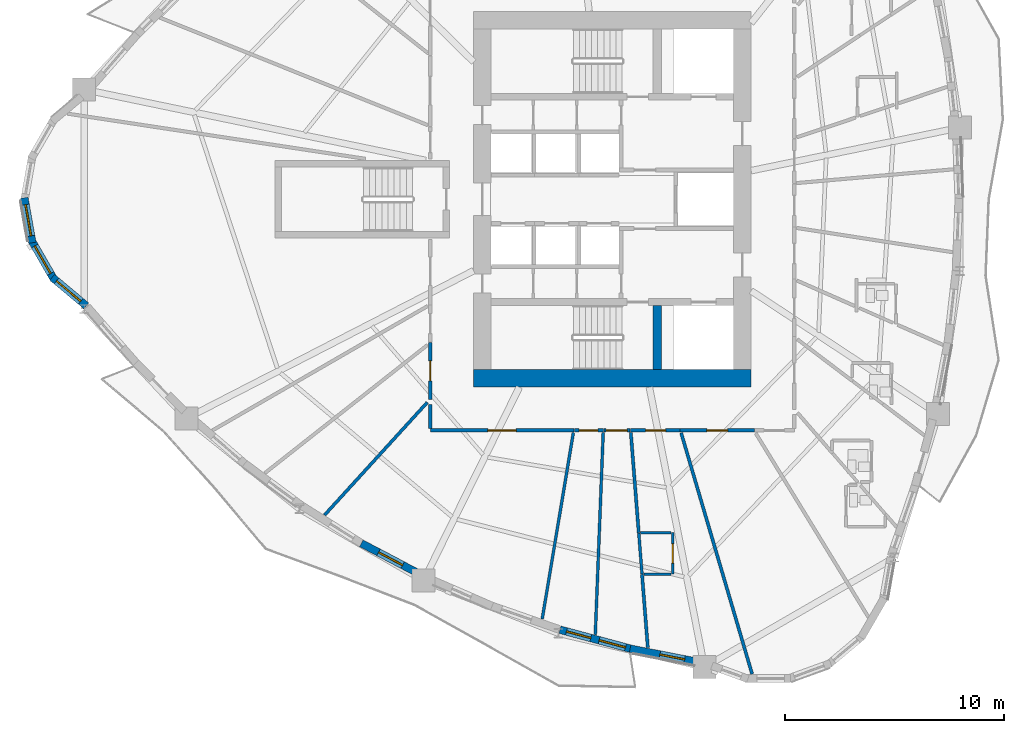
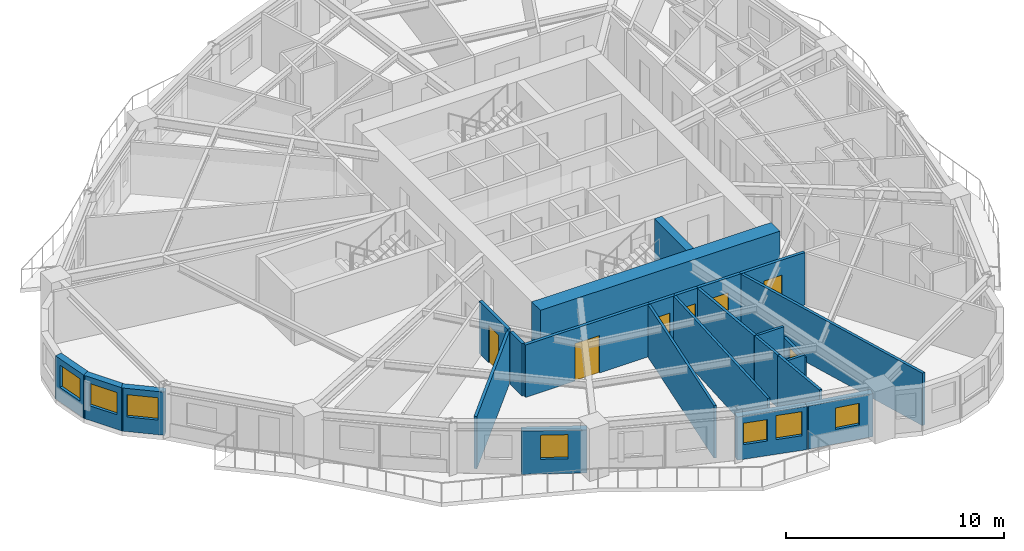
# One storey, part 3 of 13: 25 walls, 7 doors, 7 windows, 14 openings.
"""IFC4 building model written with IfcOpenShell, lengths in metres."""

from ifc_helpers import new_model, si_unit, direction, frame, frame_2d, origin, place, context, subcontext, project, spatial, rectangle, extrude, source, transform, mapped, material, layer, layer_set, type_object, element, fill, save


model = new_model("IFC4")

# Units and contexts
model_context = context("Model", 3, precision=1e-05, world=origin(), true_north=direction((0.0, 1.0)))
body_context = subcontext(model_context, "Body", "Model", "MODEL_VIEW")
ifc_project = project(units=[si_unit("LENGTHUNIT", "METRE"), si_unit("AREAUNIT", "SQUARE_METRE"), si_unit("VOLUMEUNIT", "CUBIC_METRE"), si_unit("PLANEANGLEUNIT", "RADIAN"), si_unit("MASSUNIT", "GRAM", prefix="KILO")], contexts=[model_context])

# Site, building, storey
site_placement = place(None, origin())
site = spatial("IfcSite", under=ifc_project, at=site_placement, CompositionType="ELEMENT")
building_placement = place(site_placement, origin())
building = spatial("IfcBuilding", under=site, at=building_placement, Name="Qafzar Sky-Pleat Residences", CompositionType="ELEMENT")
storey_placement = place(building_placement, frame((0.0, 0.0, 59.0)))
storey = spatial("IfcBuildingStorey", under=building, at=storey_placement, Name="L17", CompositionType="ELEMENT", Elevation=59.0)

# Wall, opening, door
ifc_material_1 = material(Name="Acoustic gypsum plasterboard partition", Category="gypsum")
ifc_layer_1 = layer(ifc_material_1, 0.159912109375)
ifc_layer_set_1 = layer_set([ifc_layer_1], Name="Acoustic gypsum plasterboard partition")
wall_type_1 = type_object("IfcWallType", Name="PART-COR-160", PredefinedType="PARTITIONING", material=ifc_layer_set_1)
wall_1_placement = place(storey_placement, frame((28.595947265625, 15.419921875, 0.0), z_axis=(0.0, 0.0, 1.0), x_axis=(-1.0, 0.0, 0.0)))
wall_1 = element("IfcWall", 1, at=wall_1_placement, inside=storey, type_object=wall_type_1, Name="L17 Partition Wall PART-L17-PW-001", PredefinedType="PARTITIONING", context=body_context, shape_type="SweptSolid", body=[
    extrude(rectangle(XDim=6.575927734375, YDim=0.159912109375, at=frame_2d((3.2880859375, 0.0))), origin(), (0.0, 0.0, 1.0), 2.93994140625),
])
opening_1_placement = place(wall_1_placement, frame((2.6455078125, 0.0, 0.0)))
opening_1 = element("IfcOpeningElement", 2, at=opening_1_placement, cuts=wall_1, Name="Opening ID-05", PredefinedType="OPENING", context=body_context, shape_type="SweptSolid", body=[
    extrude(rectangle(XDim=1.300048828125, YDim=2.10009765625, at=frame_2d((0.64990234375, 1.050048828125))), frame((0.0, 0.08984375, 0.0), z_axis=(0.0, -1.0, 0.0), x_axis=(1.0, 0.0, 0.0)), (0.0, 0.0, 1.0), 0.179931640625),
])
ifc_material_2 = material(Name="Timber-faced fire door", Category="wood")
door_type_1 = type_object("IfcDoorType", Name="DR-LNG-1300", OperationType="DOUBLE_DOOR_SINGLE_SWING", PredefinedType="DOOR", material=ifc_material_2)
shared_shape_1 = source(origin(), body_context, "Body", "SweptSolid", [
    extrude(rectangle(XDim=1.300048828125, YDim=2.10009765625, at=frame_2d((0.64990234375, 1.050048828125))), frame((0.0, 0.02490234375, 0.0), z_axis=(0.0, -1.0, 0.0), x_axis=(1.0, 0.0, 0.0)), (0.0, 0.0, 1.0), 0.050048828125),
])
door_1_placement = place(opening_1_placement, origin())
door_1 = element("IfcDoor", 3, at=door_1_placement, inside=storey, type_object=door_type_1, Name="L17 Tutorial Huddle Room Door", OperationType="DOUBLE_DOOR_SINGLE_SWING", OverallHeight=2.10009765625, OverallWidth=1.300048828125, PredefinedType="DOOR", context=body_context, shape_type="MappedRepresentation", body=[
    mapped(shared_shape_1, transform((0.0, 0.0, 0.0), x_axis=(1.0, 0.0, 0.0), y_axis=(0.0, 1.0, 0.0), z_axis=(0.0, 0.0, 1.0), scale=1.0)),
])
fill(opening_1, door_1)

wall_2_placement = place(storey_placement, frame((36.84912109375, 15.419921875, 0.0), z_axis=(0.0, 0.0, 1.0), x_axis=(-1.0, 0.0, 0.0)))
wall_2 = element("IfcWall", 4, at=wall_2_placement, inside=storey, type_object=wall_type_1, Name="L17 Partition Wall PART-L17-PW-007", PredefinedType="PARTITIONING", context=body_context, shape_type="SweptSolid", body=[
    extrude(rectangle(XDim=3.401123046875, YDim=0.159912109375, at=frame_2d((1.70068359375, 0.0))), origin(), (0.0, 0.0, 1.0), 2.93994140625),
])
opening_2_placement = place(wall_2_placement, frame((1.220947265625, 0.0, 0.0)))
opening_2 = element("IfcOpeningElement", 5, at=opening_2_placement, cuts=wall_2, Name="Opening ID-06", PredefinedType="OPENING", context=body_context, shape_type="SweptSolid", body=[
    extrude(rectangle(XDim=0.9599609375, YDim=2.10009765625, at=frame_2d((0.47998046875, 1.050048828125))), frame((0.0, 0.08984375, 0.0), z_axis=(0.0, -1.0, 0.0), x_axis=(1.0, 0.0, 0.0)), (0.0, 0.0, 1.0), 0.179931640625),
])
door_type_2 = type_object("IfcDoorType", Name="DR-STD-960", OperationType="NOTDEFINED", PredefinedType="DOOR", material=ifc_material_2)
shared_shape_2 = source(origin(), body_context, "Body", "SweptSolid", [
    extrude(rectangle(XDim=0.9599609375, YDim=2.10009765625, at=frame_2d((0.47998046875, 1.050048828125))), frame((0.0, 0.02490234375, 0.0), z_axis=(0.0, -1.0, 0.0), x_axis=(1.0, 0.0, 0.0)), (0.0, 0.0, 1.0), 0.050048828125),
])
door_2_placement = place(opening_2_placement, origin())
door_2 = element("IfcDoor", 6, at=door_2_placement, inside=storey, type_object=door_type_2, Name="L17 Reading Library Door", OperationType="SINGLE_SWING_LEFT", OverallHeight=2.10009765625, OverallWidth=0.9599609375, PredefinedType="DOOR", context=body_context, shape_type="MappedRepresentation", body=[
    mapped(shared_shape_2, transform((0.0, 0.0, 0.0), x_axis=(1.0, 0.0, 0.0), y_axis=(0.0, 1.0, 0.0), z_axis=(0.0, 0.0, 1.0), scale=1.0)),
])
fill(opening_2, door_2)

wall_3_placement = place(storey_placement, frame((22.02001953125, 16.837890625, 0.0), z_axis=(0.0, 0.0, 1.0), x_axis=(0.0, 1.0, 0.0)))
wall_3 = element("IfcWall", 7, at=wall_3_placement, inside=storey, type_object=wall_type_1, Name="L17 Partition Wall PART-L17-PW-014", PredefinedType="PARTITIONING", context=body_context, shape_type="SweptSolid", body=[
    extrude(rectangle(XDim=2.6181640625, YDim=0.159912109375, at=frame_2d((1.30908203125, 0.0))), origin(), (0.0, 0.0, 1.0), 2.93994140625),
])
opening_3_placement = place(wall_3_placement, frame((0.85009765625, 0.0, 0.0)))
opening_3 = element("IfcOpeningElement", 8, at=opening_3_placement, cuts=wall_3, Name="Opening ID-04", PredefinedType="OPENING", context=body_context, shape_type="SweptSolid", body=[
    extrude(rectangle(XDim=0.919921875, YDim=2.10009765625, at=frame_2d((0.4599609375, 1.050048828125))), frame((0.0, 0.08984375, 0.0), z_axis=(0.0, -1.0, 0.0), x_axis=(1.0, 0.0, 0.0)), (0.0, 0.0, 1.0), 0.179931640625),
])
door_type_3 = type_object("IfcDoorType", Name="DR-BED-920", OperationType="NOTDEFINED", PredefinedType="DOOR", material=ifc_material_2)
shared_shape_3 = source(origin(), body_context, "Body", "SweptSolid", [
    extrude(rectangle(XDim=0.919921875, YDim=2.10009765625, at=frame_2d((0.4599609375, 1.050048828125))), frame((0.0, 0.02490234375, 0.0), z_axis=(0.0, -1.0, 0.0), x_axis=(1.0, 0.0, 0.0)), (0.0, 0.0, 1.0), 0.050048828125),
])
door_3_placement = place(opening_3_placement, origin())
door_3 = element("IfcDoor", 9, at=door_3_placement, inside=storey, type_object=door_type_3, Name="L17 Co-Living Bedroom 11 Door", OperationType="SINGLE_SWING_RIGHT", OverallHeight=2.10009765625, OverallWidth=0.919921875, PredefinedType="DOOR", context=body_context, shape_type="MappedRepresentation", body=[
    mapped(shared_shape_3, transform((0.0, 0.0, 0.0), x_axis=(1.0, 0.0, 0.0), y_axis=(0.0, 1.0, 0.0), z_axis=(0.0, 0.0, 1.0), scale=1.0)),
])
fill(opening_3, door_3)

wall_4_placement = place(storey_placement, frame((33.43310546875, 15.419921875, 0.0), z_axis=(0.0, 0.0, 1.0), x_axis=(-1.0, 0.0, 0.0)))
wall_4 = element("IfcWall", 10, at=wall_4_placement, inside=storey, type_object=wall_type_1, Name="L17 Partition Wall PART-L17-PW-016", PredefinedType="PARTITIONING", context=body_context, shape_type="SweptSolid", body=[
    extrude(rectangle(XDim=2.26220703125, YDim=0.159912109375, at=frame_2d((1.131103515625, 0.0))), origin(), (0.0, 0.0, 1.0), 2.93994140625),
])
opening_4_placement = place(wall_4_placement, frame((0.64794921875, 0.0, 0.0)))
opening_4 = element("IfcOpeningElement", 11, at=opening_4_placement, cuts=wall_4, Name="Opening ID-04", PredefinedType="OPENING", context=body_context, shape_type="SweptSolid", body=[
    extrude(rectangle(XDim=0.919921875, YDim=2.10009765625, at=frame_2d((0.4599609375, 1.050048828125))), frame((0.0, 0.08984375, 0.0), z_axis=(0.0, -1.0, 0.0), x_axis=(1.0, 0.0, 0.0)), (0.0, 0.0, 1.0), 0.179931640625),
])
door_4_placement = place(opening_4_placement, origin())
door_4 = element("IfcDoor", 12, at=door_4_placement, inside=storey, type_object=door_type_3, Name="L17 Co-Living Bedroom 12 Door", OperationType="SINGLE_SWING_RIGHT", OverallHeight=2.10009765625, OverallWidth=0.919921875, PredefinedType="DOOR", context=body_context, shape_type="MappedRepresentation", body=[
    mapped(shared_shape_3, transform((0.0, 0.0, 0.0), x_axis=(1.0, 0.0, 0.0), y_axis=(0.0, 1.0, 0.0), z_axis=(0.0, 0.0, 1.0), scale=1.0)),
])
fill(opening_4, door_4)

wall_5_placement = place(storey_placement, frame((29.948974609375, 15.419921875, 0.0), z_axis=(0.0, 0.0, 1.0), x_axis=(-1.0, 0.0, 0.0)))
wall_5 = element("IfcWall", 13, at=wall_5_placement, inside=storey, type_object=wall_type_1, Name="L17 Partition Wall PART-L17-PW-030", PredefinedType="PARTITIONING", context=body_context, shape_type="SweptSolid", body=[
    extrude(rectangle(XDim=1.337890625, YDim=0.159912109375, at=frame_2d((0.6689453125, 0.0))), origin(), (0.0, 0.0, 1.0), 2.93994140625),
])
opening_5_placement = place(wall_5_placement, frame((0.261474609375, 0.0, 0.0)))
opening_5 = element("IfcOpeningElement", 14, at=opening_5_placement, cuts=wall_5, Name="Opening ID-09", PredefinedType="OPENING", context=body_context, shape_type="SweptSolid", body=[
    extrude(rectangle(XDim=0.860107421875, YDim=2.050048828125, at=frame_2d((0.43017578125, 1.02490234375))), frame((0.0, 0.08984375, 0.0), z_axis=(0.0, -1.0, 0.0), x_axis=(1.0, 0.0, 0.0)), (0.0, 0.0, 1.0), 0.179931640625),
])
door_type_4 = type_object("IfcDoorType", Name="DR-SVC-860", OperationType="NOTDEFINED", PredefinedType="DOOR", material=ifc_material_2)
shared_shape_4 = source(origin(), body_context, "Body", "SweptSolid", [
    extrude(rectangle(XDim=0.860107421875, YDim=2.050048828125, at=frame_2d((0.43017578125, 1.02490234375))), frame((0.0, 0.02490234375, 0.0), z_axis=(0.0, -1.0, 0.0), x_axis=(1.0, 0.0, 0.0)), (0.0, 0.0, 1.0), 0.050048828125),
])
door_5_placement = place(opening_5_placement, origin())
door_5 = element("IfcDoor", 15, at=door_5_placement, inside=storey, type_object=door_type_4, Name="L17 Accessible Shared Washroom Door", OperationType="SINGLE_SWING_RIGHT", OverallHeight=2.050048828125, OverallWidth=0.860107421875, PredefinedType="DOOR", context=body_context, shape_type="MappedRepresentation", body=[
    mapped(shared_shape_4, transform((0.0, 0.0, 0.0), x_axis=(1.0, 0.0, 0.0), y_axis=(0.0, 1.0, 0.0), z_axis=(0.0, 0.0, 1.0), scale=1.0)),
])
fill(opening_5, door_5)

wall_6_placement = place(storey_placement, frame((31.156005859375, 15.419921875, 0.0), z_axis=(0.0, 0.0, 1.0), x_axis=(-1.0, 0.0, 0.0)))
wall_6 = element("IfcWall", 16, at=wall_6_placement, inside=storey, type_object=wall_type_1, Name="L17 Partition Wall PART-L17-PW-031", PredefinedType="PARTITIONING", context=body_context, shape_type="SweptSolid", body=[
    extrude(rectangle(XDim=1.19189453125, YDim=0.159912109375, at=frame_2d((0.595947265625, 0.0))), origin(), (0.0, 0.0, 1.0), 2.93994140625),
])
opening_6_placement = place(wall_6_placement, frame((0.127685546875, 0.0, 0.0)))
opening_6 = element("IfcOpeningElement", 17, at=opening_6_placement, cuts=wall_6, Name="Opening ID-06", PredefinedType="OPENING", context=body_context, shape_type="SweptSolid", body=[
    extrude(rectangle(XDim=0.9599609375, YDim=2.10009765625, at=frame_2d((0.47998046875, 1.050048828125))), frame((0.0, 0.08984375, 0.0), z_axis=(0.0, -1.0, 0.0), x_axis=(1.0, 0.0, 0.0)), (0.0, 0.0, 1.0), 0.179931640625),
])
door_6_placement = place(opening_6_placement, origin())
door_6 = element("IfcDoor", 18, at=door_6_placement, inside=storey, type_object=door_type_2, Name="L17 Scholar Study Room Door", OperationType="SINGLE_SWING_LEFT", OverallHeight=2.10009765625, OverallWidth=0.9599609375, PredefinedType="DOOR", context=body_context, shape_type="MappedRepresentation", body=[
    mapped(shared_shape_2, transform((0.0, 0.0, 0.0), x_axis=(1.0, 0.0, 0.0), y_axis=(0.0, 1.0, 0.0), z_axis=(0.0, 0.0, 1.0), scale=1.0)),
])
fill(opening_6, door_6)

# Walls
wall_7_placement = place(storey_placement, frame((22.02001953125, 15.508056640625, 0.0), z_axis=(0.0, 0.0, 1.0), x_axis=(0.0, 1.0, 0.0)))
element("IfcWall", 19, at=wall_7_placement, inside=storey, type_object=wall_type_1, Name="L17 Partition Wall PART-L17-PW-079", PredefinedType="PARTITIONING", context=body_context, shape_type="SweptSolid", body=[
    extrude(rectangle(XDim=1.111572265625, YDim=0.159912109375, at=frame_2d((0.5556640625, 0.0))), origin(), (0.0, 0.0, 1.0), 2.93994140625),
])
ifc_layer_2 = layer(ifc_material_1, 0.14501953125)
ifc_layer_set_2 = layer_set([ifc_layer_2], Name="Acoustic gypsum plasterboard partition")
wall_type_2 = type_object("IfcWallType", Name="PART-UNIT-145", PredefinedType="PARTITIONING", material=ifc_layer_set_2)
wall_8_placement = place(storey_placement, frame((33.495849609375, 15.31201171875, 0.0), z_axis=(0.0, 0.0, 1.0), x_axis=(0.282353610079, -0.959310397564, 0.0)))
element("IfcWall", 20, at=wall_8_placement, inside=storey, type_object=wall_type_2, Name="L17 Partition Wall PART-L17-PW-035", PredefinedType="PARTITIONING", context=body_context, shape_type="SweptSolid", body=[
    extrude(rectangle(XDim=11.50341796875, YDim=0.14501953125, at=frame_2d((5.751708984375, 0.0))), origin(), (0.0, 0.0, 1.0), 2.93994140625),
])
wall_9_placement = place(storey_placement, frame((17.179931640625, 11.550048828125, 0.0), z_axis=(0.0, 0.0, 1.0), x_axis=(0.673657773225, 0.739043438895, 0.0)))
element("IfcWall", 21, at=wall_9_placement, inside=storey, type_object=wall_type_2, Name="L17 Partition Wall PART-L17-PW-047", PredefinedType="PARTITIONING", context=body_context, shape_type="SweptSolid", body=[
    extrude(rectangle(XDim=6.978515625, YDim=0.14501953125, at=frame_2d((3.4892578125, 0.0))), origin(), (0.0, 0.0, 1.0), 2.93994140625),
])
wall_10_placement = place(storey_placement, frame((31.193359375, 15.326416015625, 0.0), z_axis=(0.0, 0.0, 1.0), x_axis=(0.078835771191, -0.996887617127, 0.0)))
element("IfcWall", 22, at=wall_10_placement, inside=storey, type_object=wall_type_2, Name="L17 Partition Wall PART-L17-PW-049", PredefinedType="PARTITIONING", context=body_context, shape_type="SweptSolid", body=[
    extrude(rectangle(XDim=4.598876953125, YDim=0.14501953125, at=frame_2d((2.29931640625, 0.0))), origin(), (0.0, 0.0, 1.0), 2.93994140625),
])
wall_11_placement = place(storey_placement, frame((31.7060546875, 8.842041015625, 0.0), z_axis=(0.0, 0.0, 1.0), x_axis=(0.078861571463, -0.996885576456, 0.0)))
element("IfcWall", 23, at=wall_11_placement, inside=storey, type_object=wall_type_2, Name="L17 Partition Wall PART-L17-PW-051", PredefinedType="PARTITIONING", context=body_context, shape_type="SweptSolid", body=[
    extrude(rectangle(XDim=3.371337890625, YDim=0.14501953125, at=frame_2d((1.685546875, 0.0))), origin(), (0.0, 0.0, 1.0), 2.93994140625),
])

# Wall, opening, door
ifc_material_3 = material(Name="Moisture-resistant gypsum partition", Category="gypsum")
ifc_layer_3 = layer(ifc_material_3, 0.1298828125)
ifc_layer_set_3 = layer_set([ifc_layer_3], Name="Moisture-resistant gypsum partition")
wall_type_3 = type_object("IfcWallType", Name="PART-WET-130", PredefinedType="PARTITIONING", material=ifc_layer_set_3)
wall_12_placement = place(storey_placement, frame((33.113037109375, 8.842041015625, 0.0), z_axis=(0.0, 0.0, 1.0), x_axis=(0.0, 1.0, 0.0)))
wall_12 = element("IfcWall", 24, at=wall_12_placement, inside=storey, type_object=wall_type_3, Name="L17 Partition Wall PART-L17-PW-021", PredefinedType="PARTITIONING", context=body_context, shape_type="SweptSolid", body=[
    extrude(rectangle(XDim=1.89990234375, YDim=0.1298828125, at=frame_2d((0.949951171875, 0.0))), origin(), (0.0, 0.0, 1.0), 2.30810546875),
])
opening_7_placement = place(wall_12_placement, frame((0.510009765625, 0.0, 0.0)))
opening_7 = element("IfcOpeningElement", 25, at=opening_7_placement, cuts=wall_12, Name="Opening ID-07", PredefinedType="OPENING", context=body_context, shape_type="SweptSolid", body=[
    extrude(rectangle(XDim=0.8798828125, YDim=2.050048828125, at=frame_2d((0.43994140625, 1.02490234375))), frame((0.0, 0.074951171875, 0.0), z_axis=(0.0, -1.0, 0.0), x_axis=(1.0, 0.0, 0.0)), (0.0, 0.0, 1.0), 0.14990234375),
])
door_type_5 = type_object("IfcDoorType", Name="DR-WET-880", OperationType="NOTDEFINED", PredefinedType="DOOR", material=ifc_material_2)
shared_shape_5 = source(origin(), body_context, "Body", "SweptSolid", [
    extrude(rectangle(XDim=0.8798828125, YDim=2.050048828125, at=frame_2d((0.43994140625, 1.02490234375))), frame((0.0, 0.02490234375, 0.0), z_axis=(0.0, -1.0, 0.0), x_axis=(1.0, 0.0, 0.0)), (0.0, 0.0, 1.0), 0.050048828125),
])
door_7_placement = place(opening_7_placement, origin())
door_7 = element("IfcDoor", 26, at=door_7_placement, inside=storey, type_object=door_type_5, Name="L17 En-suite Bathroom 12 Door", OperationType="SINGLE_SWING_LEFT", OverallHeight=2.050048828125, OverallWidth=0.8798828125, PredefinedType="DOOR", context=body_context, shape_type="MappedRepresentation", body=[
    mapped(shared_shape_5, transform((0.0, 0.0, 0.0), x_axis=(1.0, 0.0, 0.0), y_axis=(0.0, 1.0, 0.0), z_axis=(0.0, 0.0, 1.0), scale=1.0)),
])
fill(opening_7, door_7)

# Walls
wall_13_placement = place(storey_placement, frame((29.5673828125, 6.072021484375, 0.0), z_axis=(0.0, 0.0, 1.0), x_axis=(0.039185050788, 0.999231970963, 0.0)))
element("IfcWall", 27, at=wall_13_placement, inside=storey, type_object=wall_type_3, Name="L17 Partition Wall PART-L17-PW-041", PredefinedType="PARTITIONING", context=body_context, shape_type="SweptSolid", body=[
    extrude(rectangle(XDim=9.2646484375, YDim=0.1298828125, at=frame_2d((4.63232421875, 0.0))), origin(), (0.0, 0.0, 1.0), 2.93994140625),
])
wall_14_placement = place(storey_placement, frame((27.138916015625, 6.7919921875, 0.0), z_axis=(0.0, 0.0, 1.0), x_axis=(0.164847632872, 0.986319044699, 0.0)))
element("IfcWall", 28, at=wall_14_placement, inside=storey, type_object=wall_type_3, Name="L17 Partition Wall PART-L17-PW-042", PredefinedType="PARTITIONING", context=body_context, shape_type="SweptSolid", body=[
    extrude(rectangle(XDim=8.647705078125, YDim=0.1298828125, at=frame_2d((4.32373046875, 0.0))), origin(), (0.0, 0.0, 1.0), 2.93994140625),
])
wall_15_placement = place(storey_placement, frame((31.55712890625, 10.72705078125, 0.0), z_axis=(0.0, 0.0, 1.0), x_axis=(0.078736521399, -0.996895461018, 0.0)))
element("IfcWall", 29, at=wall_15_placement, inside=storey, type_object=wall_type_3, Name="L17 Partition Wall PART-L17-PW-062", PredefinedType="PARTITIONING", context=body_context, shape_type="SweptSolid", body=[
    extrude(rectangle(XDim=1.8759765625, YDim=0.1298828125, at=frame_2d((0.93798828125, 0.0))), origin(), (0.0, 0.0, 1.0), 2.93994140625),
])
wall_16_placement = place(storey_placement, frame((31.641845703125, 10.741943359375, 0.0), z_axis=(0.0, 0.0, 1.0), x_axis=(1.0, 0.0, 0.0)))
element("IfcWall", 30, at=wall_16_placement, inside=storey, type_object=wall_type_3, Name="L17 Partition Wall PART-L17-PW-077", PredefinedType="PARTITIONING", context=body_context, shape_type="SweptSolid", body=[
    extrude(rectangle(XDim=1.398193359375, YDim=0.1298828125, at=frame_2d((0.69921875, 0.0))), origin(), (0.0, 0.0, 1.0), 2.93994140625),
])
wall_17_placement = place(storey_placement, frame((31.7919921875, 8.842041015625, 0.0), z_axis=(0.0, 0.0, 1.0), x_axis=(1.0, 0.0, 0.0)))
element("IfcWall", 31, at=wall_17_placement, inside=storey, type_object=wall_type_3, Name="L17 Partition Wall PART-L17-PW-078", PredefinedType="PARTITIONING", context=body_context, shape_type="SweptSolid", body=[
    extrude(rectangle(XDim=1.248046875, YDim=0.1298828125, at=frame_2d((0.6240234375, 0.0))), origin(), (0.0, 0.0, 1.0), 2.508056640625),
])

# Wall, opening, window
ifc_material_4 = material(Name="Precast concrete C40/50 with honed Riyadh limestone", Category="concrete")
ifc_layer_4 = layer(ifc_material_4, 0.35009765625)
ifc_layer_set_4 = layer_set([ifc_layer_4], Name="Precast concrete C40/50 with honed Riyadh limestone")
wall_type_4 = type_object("IfcWallType", Name="WALL-EXT-350", PredefinedType="SOLIDWALL", material=ifc_layer_set_4)
wall_18_placement = place(storey_placement, frame((3.440673828125, 26.06787109375, 0.0), z_axis=(0.0, 0.0, 1.0), x_axis=(0.173672066494, -0.984803540469, 0.0)))
wall_18 = element("IfcWall", 32, at=wall_18_placement, inside=storey, type_object=wall_type_4, Name="L17 Limestone Facade Wall 4", PredefinedType="SOLIDWALL", context=body_context, shape_type="SweptSolid", body=[
    extrude(rectangle(XDim=2.09033203125, YDim=0.35009765625, at=frame_2d((1.045166015625, 0.0))), origin(), (0.0, 0.0, 1.0), 2.419921875),
])
opening_8_placement = place(wall_18_placement, frame((0.3203125, 0.0, 0.820068359375)))
opening_8 = element("IfcOpeningElement", 33, at=opening_8_placement, cuts=wall_18, Name="Opening WN-15", PredefinedType="OPENING", context=body_context, shape_type="SweptSolid", body=[
    extrude(rectangle(XDim=1.449951171875, YDim=1.25, at=frame_2d((0.72509765625, 0.625))), frame((0.0, 0.18505859375, 0.0), z_axis=(0.0, -1.0, 0.0), x_axis=(1.0, 0.0, 0.0)), (0.0, 0.0, 1.0), 0.3701171875),
])
ifc_material_5 = material(Name="Solar-control low-E glass in bronze aluminium frame", Category="glass")
window_type_1 = type_object("IfcWindowType", Name="WIN-15", PartitioningType="SINGLE_PANEL", PredefinedType="WINDOW", material=ifc_material_5)
shared_shape_6 = source(origin(), body_context, "Body", "SweptSolid", [
    extrude(rectangle(XDim=1.449951171875, YDim=1.25, at=frame_2d((0.72509765625, 0.625))), frame((0.0, 0.030029296875, 0.0), z_axis=(0.0, -1.0, 0.0), x_axis=(1.0, 0.0, 0.0)), (0.0, 0.0, 1.0), 0.06005859375),
])
window_1_placement = place(opening_8_placement, origin())
window_1 = element("IfcWindow", 34, at=window_1_placement, inside=storey, type_object=window_type_1, Name="L17 Punched Facade Window 04", OverallHeight=1.25, OverallWidth=1.449951171875, PartitioningType="SINGLE_PANEL", PredefinedType="WINDOW", context=body_context, shape_type="MappedRepresentation", body=[
    mapped(shared_shape_6, transform((0.0, 0.0, 0.0), x_axis=(1.0, 0.0, 0.0), y_axis=(0.0, 1.0, 0.0), z_axis=(0.0, 0.0, 1.0), scale=1.0)),
])
fill(opening_8, window_1)

wall_19_placement = place(storey_placement, frame((3.75732421875, 24.13671875, 0.0), z_axis=(0.0, 0.0, 1.0), x_axis=(0.499995423472, -0.866028046028, 0.0)))
wall_19 = element("IfcWall", 35, at=wall_19_placement, inside=storey, type_object=wall_type_4, Name="L17 Limestone Facade Wall 5", PredefinedType="SOLIDWALL", context=body_context, shape_type="SweptSolid", body=[
    extrude(rectangle(XDim=2.09033203125, YDim=0.35009765625, at=frame_2d((1.045166015625, 0.0))), origin(), (0.0, 0.0, 1.0), 2.419921875),
])
opening_9_placement = place(wall_19_placement, frame((0.3203125, 0.0, 0.820068359375)))
opening_9 = element("IfcOpeningElement", 36, at=opening_9_placement, cuts=wall_19, Name="Opening WN-15", PredefinedType="OPENING", context=body_context, shape_type="SweptSolid", body=[
    extrude(rectangle(XDim=1.449951171875, YDim=1.25, at=frame_2d((0.72509765625, 0.625))), frame((0.0, 0.18505859375, 0.0), z_axis=(0.0, -1.0, 0.0), x_axis=(1.0, 0.0, 0.0)), (0.0, 0.0, 1.0), 0.3701171875),
])
window_2_placement = place(opening_9_placement, origin())
window_2 = element("IfcWindow", 37, at=window_2_placement, inside=storey, type_object=window_type_1, Name="L17 Punched Facade Window 05", OverallHeight=1.25, OverallWidth=1.449951171875, PartitioningType="SINGLE_PANEL", PredefinedType="WINDOW", context=body_context, shape_type="MappedRepresentation", body=[
    mapped(shared_shape_6, transform((0.0, 0.0, 0.0), x_axis=(1.0, 0.0, 0.0), y_axis=(0.0, 1.0, 0.0), z_axis=(0.0, 0.0, 1.0), scale=1.0)),
])
fill(opening_9, window_2)

wall_20_placement = place(storey_placement, frame((4.71533203125, 22.430419921875, 0.0), z_axis=(0.0, 0.0, 1.0), x_axis=(0.766040796373, -0.642791955684, 0.0)))
wall_20 = element("IfcWall", 38, at=wall_20_placement, inside=storey, type_object=wall_type_4, Name="L17 Limestone Facade Wall 6", PredefinedType="SOLIDWALL", context=body_context, shape_type="SweptSolid", body=[
    extrude(rectangle(XDim=2.032470703125, YDim=0.35009765625, at=frame_2d((1.01611328125, 0.0))), origin(), (0.0, 0.0, 1.0), 2.419921875),
])
opening_10_placement = place(wall_20_placement, frame((0.26123046875, 0.0, 0.820068359375)))
opening_10 = element("IfcOpeningElement", 39, at=opening_10_placement, cuts=wall_20, Name="Opening WN-15", PredefinedType="OPENING", context=body_context, shape_type="SweptSolid", body=[
    extrude(rectangle(XDim=1.449951171875, YDim=1.25, at=frame_2d((0.72509765625, 0.625))), frame((0.0, 0.18505859375, 0.0), z_axis=(0.0, -1.0, 0.0), x_axis=(1.0, 0.0, 0.0)), (0.0, 0.0, 1.0), 0.3701171875),
])
window_3_placement = place(opening_10_placement, origin())
window_3 = element("IfcWindow", 40, at=window_3_placement, inside=storey, type_object=window_type_1, Name="L17 Punched Facade Window 06", OverallHeight=1.25, OverallWidth=1.449951171875, PartitioningType="SINGLE_PANEL", PredefinedType="WINDOW", context=body_context, shape_type="MappedRepresentation", body=[
    mapped(shared_shape_6, transform((0.0, 0.0, 0.0), x_axis=(1.0, 0.0, 0.0), y_axis=(0.0, 1.0, 0.0), z_axis=(0.0, 0.0, 1.0), scale=1.0)),
])
fill(opening_10, window_3)

wall_21_placement = place(storey_placement, frame((18.85986328125, 10.258056640625, 0.0), z_axis=(0.0, 0.0, 1.0), x_axis=(0.884375478211, -0.46677619213, 0.0)))
wall_21 = element("IfcWall", 41, at=wall_21_placement, inside=storey, type_object=wall_type_4, Name="L17 Limestone Facade Wall 12", PredefinedType="SOLIDWALL", context=body_context, shape_type="SweptSolid", body=[
    extrude(rectangle(XDim=3.0185546875, YDim=0.35009765625, at=frame_2d((1.50927734375, 0.0))), origin(), (0.0, 0.0, 1.0), 2.419921875),
])
opening_11_placement = place(wall_21_placement, frame((0.88916015625, 0.0, 0.820068359375)))
opening_11 = element("IfcOpeningElement", 42, at=opening_11_placement, cuts=wall_21, Name="Opening WN-11", PredefinedType="OPENING", context=body_context, shape_type="SweptSolid", body=[
    extrude(rectangle(XDim=1.25, YDim=1.35009765625, at=frame_2d((0.625, 0.675048828125))), frame((0.0, 0.18505859375, 0.0), z_axis=(0.0, -1.0, 0.0), x_axis=(1.0, 0.0, 0.0)), (0.0, 0.0, 1.0), 0.3701171875),
])
window_type_2 = type_object("IfcWindowType", Name="WIN-11", PartitioningType="SINGLE_PANEL", PredefinedType="WINDOW", material=ifc_material_5)
shared_shape_7 = source(origin(), body_context, "Body", "SweptSolid", [
    extrude(rectangle(XDim=1.25, YDim=1.35009765625, at=frame_2d((0.625, 0.675048828125))), frame((0.0, 0.030029296875, 0.0), z_axis=(0.0, -1.0, 0.0), x_axis=(1.0, 0.0, 0.0)), (0.0, 0.0, 1.0), 0.06005859375),
])
window_4_placement = place(opening_11_placement, origin())
window_4 = element("IfcWindow", 43, at=window_4_placement, inside=storey, type_object=window_type_2, Name="L17 Punched Facade Window 12", OverallHeight=1.35009765625, OverallWidth=1.25, PartitioningType="SINGLE_PANEL", PredefinedType="WINDOW", context=body_context, shape_type="MappedRepresentation", body=[
    mapped(shared_shape_7, transform((0.0, 0.0, 0.0), x_axis=(1.0, 0.0, 0.0), y_axis=(0.0, 1.0, 0.0), z_axis=(0.0, 0.0, 1.0), scale=1.0)),
])
fill(opening_11, window_4)

# Wall, openings, windows
wall_22_placement = place(storey_placement, frame((27.953369140625, 6.30322265625, 0.0), z_axis=(0.0, 0.0, 1.0), x_axis=(0.965464207527, -0.260535724968, 0.0)))
wall_22 = element("IfcWall", 44, at=wall_22_placement, inside=storey, type_object=wall_type_4, Name="L17 Limestone Facade Wall 15", PredefinedType="SOLIDWALL", context=body_context, shape_type="SweptSolid", body=[
    extrude(rectangle(XDim=3.409912109375, YDim=0.35009765625, at=frame_2d((1.705078125, 0.0))), origin(), (0.0, 0.0, 1.0), 2.419921875),
])
opening_12_placement = place(wall_22_placement, frame((0.3076171875, 0.0, 0.820068359375)))
opening_12 = element("IfcOpeningElement", 45, at=opening_12_placement, cuts=wall_22, Name="Opening WN-16", PredefinedType="OPENING", context=body_context, shape_type="SweptSolid", body=[
    extrude(rectangle(XDim=1.14990234375, YDim=1.199951171875, at=frame_2d((0.574951171875, 0.60009765625))), frame((0.0, 0.18505859375, 0.0), z_axis=(0.0, -1.0, 0.0), x_axis=(1.0, 0.0, 0.0)), (0.0, 0.0, 1.0), 0.3701171875),
])
opening_13_placement = place(wall_22_placement, frame((1.852783203125, 0.0, 0.820068359375)))
opening_13 = element("IfcOpeningElement", 46, at=opening_13_placement, cuts=wall_22, Name="Opening WN-11", PredefinedType="OPENING", context=body_context, shape_type="SweptSolid", body=[
    extrude(rectangle(XDim=1.25, YDim=1.35009765625, at=frame_2d((0.625, 0.675048828125))), frame((0.0, 0.18505859375, 0.0), z_axis=(0.0, -1.0, 0.0), x_axis=(1.0, 0.0, 0.0)), (0.0, 0.0, 1.0), 0.3701171875),
])
window_5_placement = place(opening_13_placement, origin())
window_5 = element("IfcWindow", 47, at=window_5_placement, inside=storey, type_object=window_type_2, Name="L17 Punched Facade Window 15-2", OverallHeight=1.35009765625, OverallWidth=1.25, PartitioningType="SINGLE_PANEL", PredefinedType="WINDOW", context=body_context, shape_type="MappedRepresentation", body=[
    mapped(shared_shape_7, transform((0.0, 0.0, 0.0), x_axis=(1.0, 0.0, 0.0), y_axis=(0.0, 1.0, 0.0), z_axis=(0.0, 0.0, 1.0), scale=1.0)),
])
fill(opening_13, window_5)
window_type_3 = type_object("IfcWindowType", Name="WIN-16", PartitioningType="SINGLE_PANEL", PredefinedType="WINDOW", material=ifc_material_5)
shared_shape_8 = source(origin(), body_context, "Body", "SweptSolid", [
    extrude(rectangle(XDim=1.14990234375, YDim=1.199951171875, at=frame_2d((0.574951171875, 0.60009765625))), frame((0.0, 0.030029296875, 0.0), z_axis=(0.0, -1.0, 0.0), x_axis=(1.0, 0.0, 0.0)), (0.0, 0.0, 1.0), 0.06005859375),
])
window_6_placement = place(opening_12_placement, origin())
window_6 = element("IfcWindow", 48, at=window_6_placement, inside=storey, type_object=window_type_3, Name="L17 Punched Facade Window 15", OverallHeight=1.199951171875, OverallWidth=1.14990234375, PartitioningType="SINGLE_PANEL", PredefinedType="WINDOW", context=body_context, shape_type="MappedRepresentation", body=[
    mapped(shared_shape_8, transform((0.0, 0.0, 0.0), x_axis=(1.0, 0.0, 0.0), y_axis=(0.0, 1.0, 0.0), z_axis=(0.0, 0.0, 1.0), scale=1.0)),
])
fill(opening_12, window_6)

# Wall, opening, window
wall_23_placement = place(storey_placement, frame((31.15966796875, 5.4345703125, 0.0), z_axis=(0.0, 0.0, 1.0), x_axis=(0.981237747431, -0.192801667567, 0.0)))
wall_23 = element("IfcWall", 49, at=wall_23_placement, inside=storey, type_object=wall_type_4, Name="L17 Limestone Facade Wall 16", PredefinedType="SOLIDWALL", context=body_context, shape_type="SweptSolid", body=[
    extrude(rectangle(XDim=3.202392578125, YDim=0.35009765625, at=frame_2d((1.60107421875, 0.0))), origin(), (0.0, 0.0, 1.0), 2.419921875),
])
opening_14_placement = place(wall_23_placement, frame((1.390380859375, 0.0, 0.820068359375)))
opening_14 = element("IfcOpeningElement", 50, at=opening_14_placement, cuts=wall_23, Name="Opening WN-16", PredefinedType="OPENING", context=body_context, shape_type="SweptSolid", body=[
    extrude(rectangle(XDim=1.14990234375, YDim=1.199951171875, at=frame_2d((0.574951171875, 0.60009765625))), frame((0.0, 0.18505859375, 0.0), z_axis=(0.0, -1.0, 0.0), x_axis=(1.0, 0.0, 0.0)), (0.0, 0.0, 1.0), 0.3701171875),
])
window_7_placement = place(opening_14_placement, origin())
window_7 = element("IfcWindow", 51, at=window_7_placement, inside=storey, type_object=window_type_3, Name="L17 Punched Facade Window 16-2", OverallHeight=1.199951171875, OverallWidth=1.14990234375, PartitioningType="SINGLE_PANEL", PredefinedType="WINDOW", context=body_context, shape_type="MappedRepresentation", body=[
    mapped(shared_shape_8, transform((0.0, 0.0, 0.0), x_axis=(1.0, 0.0, 0.0), y_axis=(0.0, 1.0, 0.0), z_axis=(0.0, 0.0, 1.0), scale=1.0)),
])
fill(opening_14, window_7)

# Walls
ifc_material_6 = material(Name="Concrete C60/75", Category="concrete")
ifc_layer_5 = layer(ifc_material_6, 0.39990234375)
ifc_layer_set_5 = layer_set([ifc_layer_5], Name="Concrete C60/75")
wall_type_5 = type_object("IfcWallType", Name="WALL-SHEAR-400", PredefinedType="SHEAR", material=ifc_layer_set_5)
wall_24_placement = place(storey_placement, frame((32.39990234375, 18.199951171875, 0.0), z_axis=(0.0, 0.0, 1.0), x_axis=(0.0, 1.0, 0.0)))
element("IfcWall", 52, at=wall_24_placement, inside=storey, type_object=wall_type_5, Name="L17 Stair ST1 East Dividing Wall", PredefinedType="SHEAR", context=body_context, shape_type="SweptSolid", body=[
    extrude(rectangle(XDim=2.949951171875, YDim=0.39990234375, at=frame_2d((1.47509765625, 0.0))), origin(), (0.0, 0.0, 1.0), 2.93994140625),
])
ifc_layer_6 = layer(ifc_material_6, 0.800048828125)
ifc_layer_set_6 = layer_set([ifc_layer_6], Name="Concrete C60/75")
wall_type_6 = type_object("IfcWallType", Name="WALL-SHEAR-800", PredefinedType="SHEAR", material=ifc_layer_set_6)
wall_25_placement = place(storey_placement, frame((24.0, 17.800048828125, 0.0), z_axis=(0.0, 0.0, 1.0), x_axis=(1.0, 0.0, 0.0)))
element("IfcWall", 53, at=wall_25_placement, inside=storey, type_object=wall_type_6, Name="L17 CORE wall S", PredefinedType="SHEAR", context=body_context, shape_type="SweptSolid", body=[
    extrude(rectangle(XDim=12.699951171875, YDim=0.800048828125, at=frame_2d((6.35009765625, 0.0))), origin(), (0.0, 0.0, 1.0), 2.93994140625),
])

save(model, "model.ifc")
